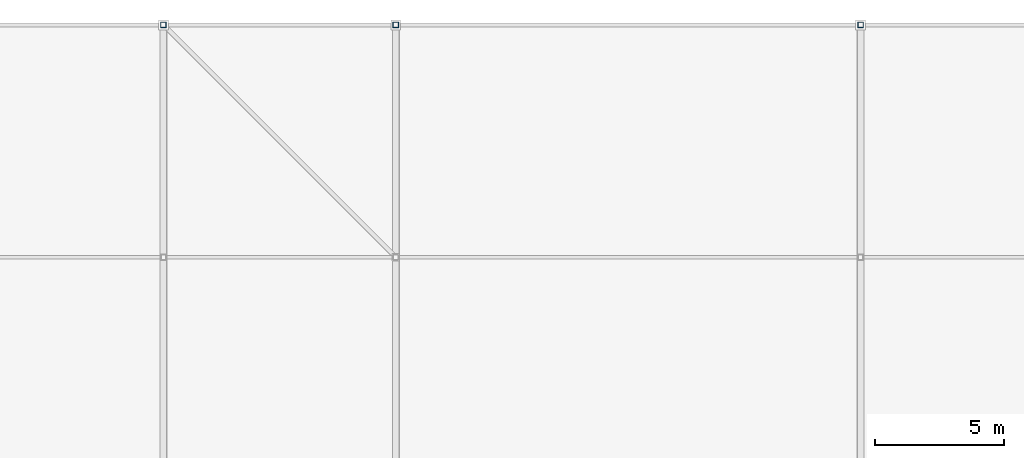
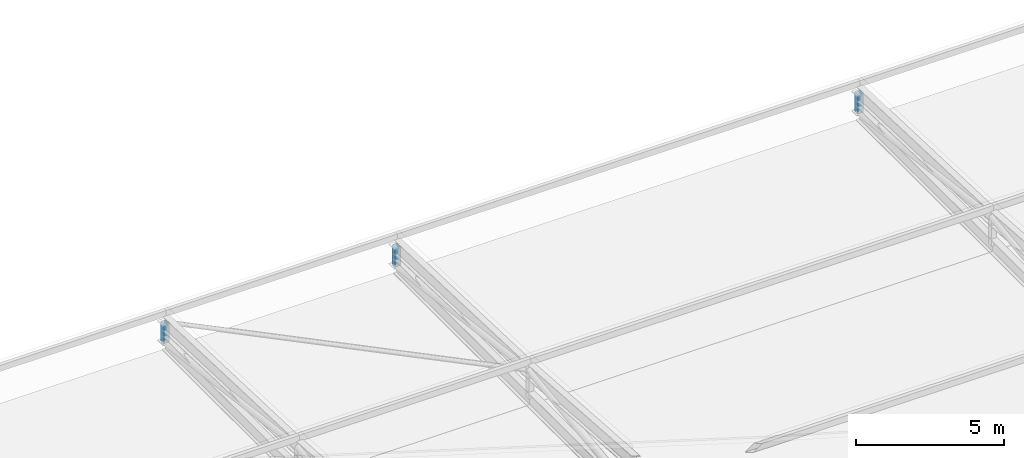
# One storey, part 84 of 114: 3 members.
"""IFC4 building model written with IfcOpenShell, lengths in metres."""

from ifc_helpers import new_model, si_unit, direction, frame, origin, origin_2d, place, context, subcontext, project, spatial, hollow_rectangle, extrude, material, material_profile, profile_set, type_object, element, save


model = new_model("IFC4")

# Units and contexts
model_context = context("Model", 3, precision=1e-05, world=origin(), true_north=direction((0.0, 1.0)))
body_context = subcontext(model_context, "Body", "Model", "MODEL_VIEW")
ifc_project = project(units=[si_unit("LENGTHUNIT", "METRE"), si_unit("AREAUNIT", "SQUARE_METRE"), si_unit("VOLUMEUNIT", "CUBIC_METRE"), si_unit("PLANEANGLEUNIT", "RADIAN"), si_unit("MASSUNIT", "GRAM", prefix="KILO"), si_unit("THERMODYNAMICTEMPERATUREUNIT", "KELVIN"), si_unit("POWERUNIT", "WATT")], contexts=[model_context])

# Site, building, storey
site_placement = place(None, origin())
site = spatial("IfcSite", under=ifc_project, at=site_placement, CompositionType="ELEMENT")
building_placement = place(site_placement, origin())
building = spatial("IfcBuilding", under=site, at=building_placement, Name="Sindhuravela Promenade Stadium", CompositionType="ELEMENT")
storey_placement = place(building_placement, frame((0.0, 0.0, 24.0)))
storey = spatial("IfcBuildingStorey", under=building, at=storey_placement, Name="L05", CompositionType="ELEMENT", Elevation=24.0)

# Members
ifc_material = material(Name="Steel E350 (IS 2062 E350BR)", Category="steel")
ifc_material_profile = material_profile(ifc_material, hollow_rectangle(XDim=0.219970703125, YDim=0.219970703125, WallThickness=0.011962890625, at=origin_2d()), Name="SHS 220x220x12")
ifc_profile_set = profile_set([ifc_material_profile], Name="Steel E350 (IS 2062 E350BR)")
member_type = type_object("IfcMemberType", Name="ST-MB-SHS220", PredefinedType="POST", material=ifc_profile_set)
for number, where, z_axis, x_axis, name in (
    (1, (99.0, 153.0, 0.0), (0.0, 0.0, 1.0), (1.0, 0.0, 0.0), "Roof truss RT-N04 vertical post 1"),
    (2, (108.0, 153.0, 0.0), (0.0, 0.0, 1.0), (1.0, 0.0, 0.0), "Roof truss RT-N05 vertical post 1"),
    (3, (126.0, 153.0, 0.0), (0.0, 0.0, 1.0), (1.0, 0.0, 0.0), "Roof truss RT-N06 vertical post 1"),
):
    element("IfcMember", number, at=place(storey_placement, frame(where, z_axis=z_axis, x_axis=x_axis)), inside=storey, type_object=member_type, Name=name, PredefinedType="POST", context=body_context, shape_type="SweptSolid", body=[
        extrude(hollow_rectangle(XDim=0.219970703125, YDim=0.219970703125, WallThickness=0.011962890625, at=origin_2d()), origin(), (0.0, 0.0, 1.0), 0.800048828125),
    ])

save(model, "model.ifc")
